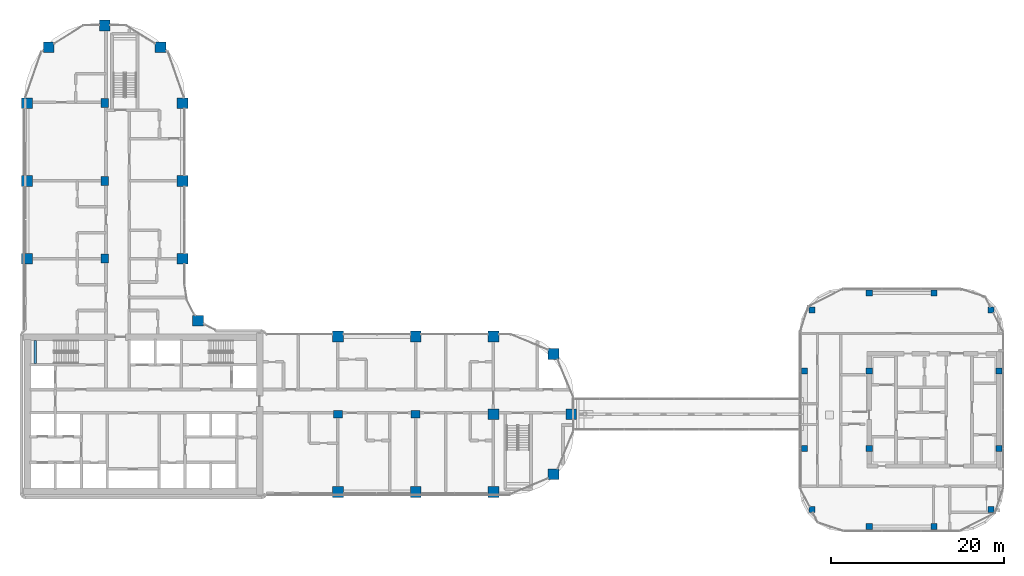
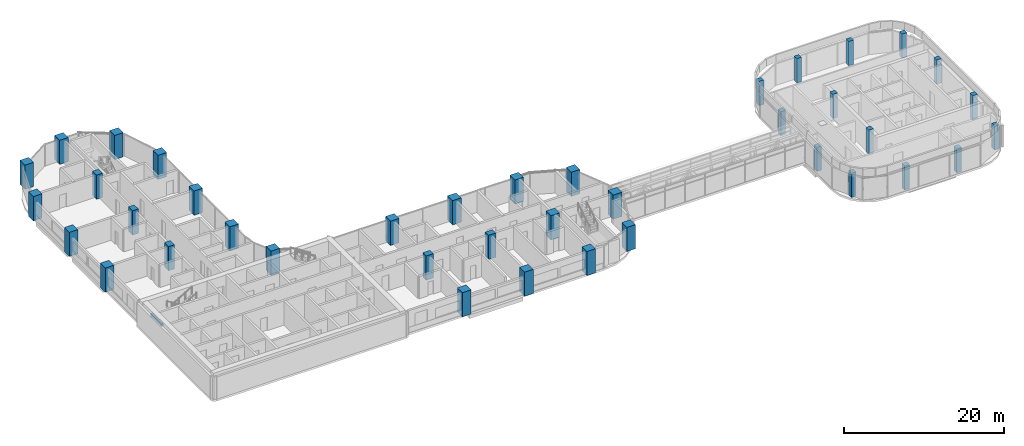
# One storey, part 1 of 33: 39 columns, 1 beam.
"""IFC4 building model written with IfcOpenShell, lengths in metres."""

from ifc_helpers import new_model, si_unit, direction, frame, origin, origin_2d, place, context, subcontext, project, spatial, rectangle, extrude, material, material_profile, profile_set, type_object, element, save


model = new_model("IFC4")

# Units and contexts
model_context = context("Model", 3, precision=1e-05, world=origin(), true_north=direction((0.0, 1.0)))
body_context = subcontext(model_context, "Body", "Model", "MODEL_VIEW")
ifc_project = project(units=[si_unit("LENGTHUNIT", "METRE"), si_unit("AREAUNIT", "SQUARE_METRE"), si_unit("VOLUMEUNIT", "CUBIC_METRE"), si_unit("PLANEANGLEUNIT", "RADIAN"), si_unit("MASSUNIT", "GRAM", prefix="KILO")], contexts=[model_context])

# Site, building, storey
site_placement = place(None, origin())
site = spatial("IfcSite", under=ifc_project, at=site_placement, CompositionType="ELEMENT")
building_placement = place(site_placement, origin())
building = spatial("IfcBuilding", under=site, at=building_placement, Name="Ogive Portal Towers", CompositionType="ELEMENT")
storey_placement = place(building_placement, frame((0.0, 0.0, 101.89990234375)))
storey = spatial("IfcBuildingStorey", under=building, at=storey_placement, Name="L24", CompositionType="ELEMENT", Elevation=101.89990234375)

# Columns
ifc_material_1 = material(Name="Concrete C60/75", Category="concrete")
ifc_material_profile_1 = material_profile(ifc_material_1, rectangle(XDim=1.050048828125, YDim=0.85009765625, at=origin_2d()), Name="RC 1050x850")
ifc_profile_set_1 = profile_set([ifc_material_profile_1], Name="Concrete C60/75")
column_type_1 = type_object("IfcColumnType", Name="COLUMN RC 1050x850", PredefinedType="COLUMN", material=ifc_profile_set_1)
for number, where, z_axis, x_axis, name in (
    (1, (67.5, 30.5, 0.0), (0.0, 0.0, 1.0), (1.0, 0.0, 0.0), "Column 5/B L24"),
    (2, (76.5, 30.5, 0.0), (0.0, 0.0, 1.0), (1.0, 0.0, 0.0), "Column 6/B L24"),
    (3, (40.5, 48.5, 0.0), (0.0, 0.0, 1.0), (0.0, 1.0, 0.0), "Column 2/D L24"),
    (4, (40.5, 57.5, 0.0), (0.0, 0.0, 1.0), (0.0, 1.0, 0.0), "Column 2/E L24"),
    (5, (40.5, 66.5, 0.0), (0.0, 0.0, 1.0), (0.0, 1.0, 0.0), "Column 2/F L24"),
):
    element("IfcColumn", number, at=place(storey_placement, frame(where, z_axis=z_axis, x_axis=x_axis)), inside=storey, type_object=column_type_1, Name=name, PredefinedType="COLUMN", context=body_context, shape_type="SweptSolid", body=[
        extrude(rectangle(XDim=1.050048828125, YDim=0.85009765625, at=origin_2d()), origin(), (0.0, 0.0, 1.0), 3.7001953125),
    ])
ifc_material_profile_2 = material_profile(ifc_material_1, rectangle(XDim=1.25, YDim=1.25, at=origin_2d()), Name="RC 1250x1250")
ifc_profile_set_2 = profile_set([ifc_material_profile_2], Name="Concrete C60/75")
column_type_2 = type_object("IfcColumnType", Name="COLUMN RC 1250x1250", PredefinedType="COLUMN", material=ifc_profile_set_2)
for number, where, z_axis, x_axis, name in (
    (6, (67.5, 21.5, 0.0), (0.0, 0.0, 1.0), (1.0, 0.0, 0.0), "Column 5/A L24"),
    (7, (76.5, 21.5, 0.0), (0.0, 0.0, 1.0), (1.0, 0.0, 0.0), "Column 6/A L24"),
    (8, (85.5, 21.5, 0.0), (0.0, 0.0, 1.0), (1.0, 0.0, 0.0), "Column 7/A L24"),
    (9, (92.449951171875, 23.550048828125, 0.0), (0.0, 0.0, 1.0), (1.0, 0.0, 0.0), "Column L24"),
    (10, (85.5, 30.5, 0.0), (0.0, 0.0, 1.0), (1.0, 0.0, 0.0), "Column 7/B L24"),
    (11, (94.5, 30.5, 0.0), (0.0, 0.0, 1.0), (1.0, 0.0, 0.0), "Column 8/B L24"),
    (12, (92.449951171875, 37.449951171875, 0.0), (0.0, 0.0, 1.0), (1.0, 0.0, 0.0), "Column L24"),
    (13, (67.5, 39.5, 0.0), (0.0, 0.0, 1.0), (1.0, 0.0, 0.0), "Column 5/C L24"),
    (14, (76.5, 39.5, 0.0), (0.0, 0.0, 1.0), (1.0, 0.0, 0.0), "Column 6/C L24"),
    (15, (85.5, 39.5, 0.0), (0.0, 0.0, 1.0), (1.0, 0.0, 0.0), "Column 7/C L24"),
    (16, (51.31005859375, 41.31005859375, 0.0), (0.0, 0.0, 1.0), (1.0, 0.0, 0.0), "Column L24"),
    (17, (31.5, 48.5, 0.0), (0.0, 0.0, 1.0), (1.0, 0.0, 0.0), "Column 1/D L24"),
    (18, (49.5, 48.5, 0.0), (0.0, 0.0, 1.0), (1.0, 0.0, 0.0), "Column 3/D L24"),
    (19, (31.5, 57.5, 0.0), (0.0, 0.0, 1.0), (1.0, 0.0, 0.0), "Column 1/E L24"),
    (20, (49.5, 57.5, 0.0), (0.0, 0.0, 1.0), (1.0, 0.0, 0.0), "Column 3/E L24"),
    (21, (31.5, 66.5, 0.0), (0.0, 0.0, 1.0), (1.0, 0.0, 0.0), "Column 1/F L24"),
    (22, (49.5, 66.5, 0.0), (0.0, 0.0, 1.0), (1.0, 0.0, 0.0), "Column 3/F L24"),
    (23, (34.027099609375, 72.972900390625, 0.0), (0.0, 0.0, 1.0), (1.0, 0.0, 0.0), "Column L24"),
    (24, (46.972900390625, 72.972900390625, 0.0), (0.0, 0.0, 1.0), (1.0, 0.0, 0.0), "Column L24"),
    (25, (40.5, 75.5, 0.0), (0.0, 0.0, 1.0), (1.0, 0.0, 0.0), "Column 2/G L24"),
):
    element("IfcColumn", number, at=place(storey_placement, frame(where, z_axis=z_axis, x_axis=x_axis)), inside=storey, type_object=column_type_2, Name=name, PredefinedType="COLUMN", context=body_context, shape_type="SweptSolid", body=[
        extrude(rectangle(XDim=1.25, YDim=1.25, at=origin_2d()), origin(), (0.0, 0.0, 1.0), 3.7001953125),
    ])
ifc_material_2 = material(Name="Concrete C50/60", Category="concrete")
ifc_material_profile_3 = material_profile(ifc_material_2, rectangle(XDim=0.699951171875, YDim=0.699951171875, at=origin_2d()), Name="RC 700x700")
ifc_profile_set_3 = profile_set([ifc_material_profile_3], Name="Concrete C50/60")
column_type_3 = type_object("IfcColumnType", Name="COLUMN RC 700x700", PredefinedType="COLUMN", material=ifc_profile_set_3)
for number, where, z_axis, x_axis, name in (
    (26, (129.0, 17.5, 0.0), (0.0, 0.0, 1.0), (1.0, 0.0, 0.0), "Column 12/H L24"),
    (27, (136.5, 17.5, 0.0), (0.0, 0.0, 1.0), (1.0, 0.0, 0.0), "Column 13/H L24"),
    (28, (122.40087890625, 19.44189453125, 0.0), (0.0, 0.0, 1.0), (1.0, 0.0, 0.0), "Column L24"),
    (29, (143.09912109375, 19.44189453125, 0.0), (0.0, 0.0, 1.0), (1.0, 0.0, 0.0), "Column L24"),
    (30, (121.5, 26.5, 0.0), (0.0, 0.0, 1.0), (1.0, 0.0, 0.0), "Column 11/J L24"),
    (31, (129.0, 26.5, 0.0), (0.0, 0.0, 1.0), (1.0, 0.0, 0.0), "Column 12/J L24"),
    (32, (144.0, 26.5, 0.0), (0.0, 0.0, 1.0), (1.0, 0.0, 0.0), "Column 14/J L24"),
    (33, (121.5, 35.5, 0.0), (0.0, 0.0, 1.0), (1.0, 0.0, 0.0), "Column 11/K L24"),
    (34, (129.0, 35.5, 0.0), (0.0, 0.0, 1.0), (1.0, 0.0, 0.0), "Column 12/K L24"),
    (35, (144.0, 35.5, 0.0), (0.0, 0.0, 1.0), (1.0, 0.0, 0.0), "Column 14/K L24"),
    (36, (122.40087890625, 42.55810546875, 0.0), (0.0, 0.0, 1.0), (1.0, 0.0, 0.0), "Column L24"),
    (37, (143.09912109375, 42.55810546875, 0.0), (0.0, 0.0, 1.0), (1.0, 0.0, 0.0), "Column L24"),
    (38, (129.0, 44.5, 0.0), (0.0, 0.0, 1.0), (1.0, 0.0, 0.0), "Column 12/L L24"),
    (39, (136.5, 44.5, 0.0), (0.0, 0.0, 1.0), (1.0, 0.0, 0.0), "Column 13/L L24"),
):
    element("IfcColumn", number, at=place(storey_placement, frame(where, z_axis=z_axis, x_axis=x_axis)), inside=storey, type_object=column_type_3, Name=name, PredefinedType="COLUMN", context=body_context, shape_type="SweptSolid", body=[
        extrude(rectangle(XDim=0.699951171875, YDim=0.699951171875, at=origin_2d()), origin(), (0.0, 0.0, 1.0), 3.7001953125),
    ])

# Beam
ifc_material_3 = material(Name="Concrete C40/50", Category="concrete")
ifc_material_profile_4 = material_profile(ifc_material_3, rectangle(XDim=0.300048828125, YDim=0.39990234375, at=origin_2d()), Name="RC 300x400")
ifc_profile_set_4 = profile_set([ifc_material_profile_4], Name="Concrete C40/50")
beam_type = type_object("IfcBeamType", Name="BEAM RC 300x400", PredefinedType="BEAM", material=ifc_profile_set_4)
beam_placement = place(storey_placement, frame((32.449951171875, 36.35009765625, 1.4501953125), z_axis=(0.0, 1.0, 0.0), x_axis=(-1.0, 0.0, 0.0)))
element("IfcBeam", 40, at=beam_placement, inside=storey, type_object=beam_type, Name="Landing beam L24", PredefinedType="BEAM", context=body_context, shape_type="SweptSolid", body=[
    extrude(rectangle(XDim=0.300048828125, YDim=0.39990234375, at=origin_2d()), origin(), (0.0, 0.0, 1.0), 2.699951171875),
])

save(model, "model.ifc")
